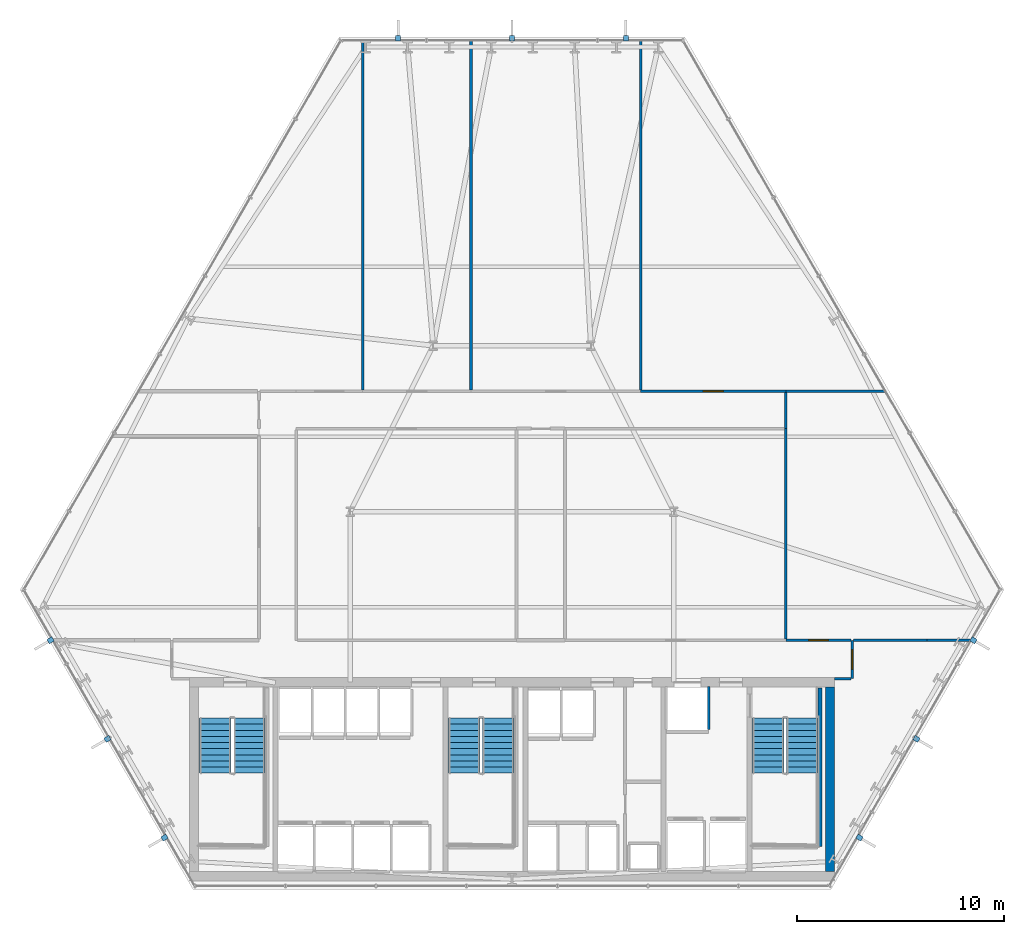
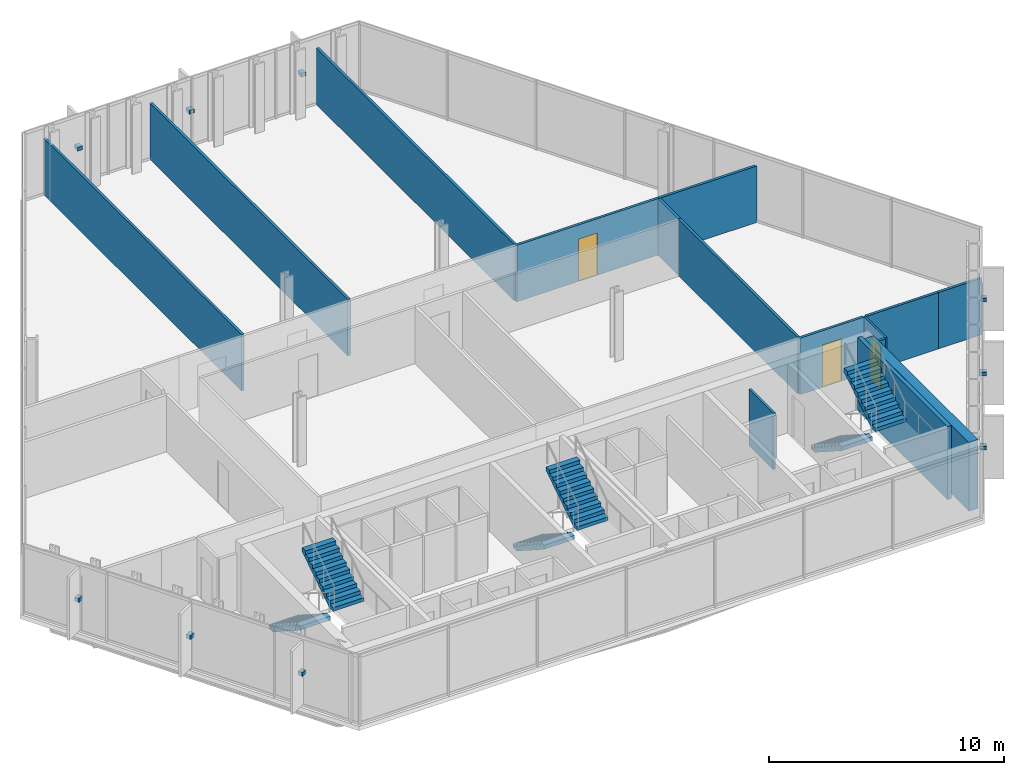
# One storey, part 29 of 33: 15 walls, 9 discrete accessories, 6 stair flights, 3 doors, 3 openings, 3 elements without a shape of their own.
"""IFC4 building model written with IfcOpenShell, lengths in metres."""

from ifc_helpers import new_model, si_unit, direction, frame, frame_2d, origin, origin_2d, place, context, subcontext, project, spatial, polyline, rectangle, outline, extrude, material, layer, layer_set, type_object, element, fill, aggregate, save


model = new_model("IFC4")

# Units and contexts
model_context = context("Model", 3, precision=1e-05, world=origin(), true_north=direction((0.0, 1.0)))
body_context = subcontext(model_context, "Body", "Model", "MODEL_VIEW")
ifc_project = project(units=[si_unit("LENGTHUNIT", "METRE"), si_unit("AREAUNIT", "SQUARE_METRE"), si_unit("VOLUMEUNIT", "CUBIC_METRE"), si_unit("PLANEANGLEUNIT", "RADIAN"), si_unit("MASSUNIT", "GRAM", prefix="KILO")], contexts=[model_context])

# Site, building, storey
site_placement = place(None, origin())
site = spatial("IfcSite", under=ifc_project, at=site_placement, CompositionType="ELEMENT")
building_placement = place(site_placement, origin())
building = spatial("IfcBuilding", under=site, at=building_placement, Name="Ndaravel Arena Tower", CompositionType="ELEMENT")
storey_placement = place(building_placement, frame((0.0, 0.0, 36.0)))
storey = spatial("IfcBuildingStorey", under=building, at=storey_placement, Name="L06", CompositionType="ELEMENT", Elevation=36.0)

# Wall
ifc_material_1 = material(Name="Concrete C60/75", Category="concrete")
ifc_layer_1 = layer(ifc_material_1, 0.449951171875)
ifc_layer_set_1 = layer_set([ifc_layer_1], Name="Concrete C60/75")
wall_type_1 = type_object("IfcWallType", Name="WALL-CORE-450", PredefinedType="SOLIDWALL", material=ifc_layer_set_1)
wall_1_placement = place(storey_placement, frame((57.324951171875, 5.85009765625, 0.0), z_axis=(0.0, 0.0, 1.0), x_axis=(0.0, 1.0, 0.0)))
element("IfcWall", 1, at=wall_1_placement, inside=storey, type_object=wall_type_1, Name="L06 Core East Shear Wall", PredefinedType="SOLIDWALL", context=body_context, shape_type="SweptSolid", body=[
    extrude(rectangle(XDim=8.89990234375, YDim=0.449951171875, at=frame_2d((4.449951171875, 0.0))), origin(), (0.0, 0.0, 1.0), 3.580078125),
])

# Wall, opening, door
ifc_material_2 = material(Name="Timber", Category="wood")
ifc_layer_2 = layer(ifc_material_2, 0.10009765625)
ifc_layer_set_2 = layer_set([ifc_layer_2], Name="Timber")
wall_type_2 = type_object("IfcWallType", Name="WALL-MOVABLE-100", PredefinedType="MOVABLE", material=ifc_layer_set_2)
wall_2_placement = place(storey_placement, frame((58.39990234375, 17.0, 0.0), z_axis=(0.0, 0.0, 1.0), x_axis=(0.0, -1.0, 0.0)))
wall_2 = element("IfcWall", 2, at=wall_2_placement, inside=storey, type_object=wall_type_2, Name="L06 Interior Partition 001", PredefinedType="MOVABLE", context=body_context, shape_type="SweptSolid", body=[
    extrude(rectangle(XDim=1.85009765625, YDim=0.10009765625, at=frame_2d((0.925048828125, 0.0))), origin(), (0.0, 0.0, 1.0), 2.932861328125),
])
opening_1_placement = place(wall_2_placement, frame((0.449951171875, 0.0, 0.0)))
opening_1 = element("IfcOpeningElement", 3, at=opening_1_placement, cuts=wall_2, Name="Opening ID-01", PredefinedType="OPENING", context=body_context, shape_type="SweptSolid", body=[
    extrude(rectangle(XDim=0.949951171875, YDim=2.199951171875, at=frame_2d((0.47509765625, 1.10009765625))), frame((0.0, 0.050048828125, 0.0), z_axis=(0.0, -1.0, 0.0), x_axis=(1.0, 0.0, 0.0)), (0.0, 0.0, 1.0), 0.10009765625),
])
ifc_material_3 = material(Name="Timber", Category="wood")
door_type = type_object("IfcDoorType", Name="DT-03-OFFICE-950", OperationType="SINGLE_SWING_LEFT", PredefinedType="DOOR", material=ifc_material_3)
door_1_placement = place(opening_1_placement, origin())
door_1 = element("IfcDoor", 4, at=door_1_placement, inside=storey, type_object=door_type, Name="L06 Executive Boardroom Door", OperationType="SINGLE_SWING_RIGHT", OverallHeight=2.199951171875, OverallWidth=0.949951171875, PredefinedType="DOOR", context=body_context, shape_type="SweptSolid", body=[
    extrude(rectangle(XDim=0.949951171875, YDim=2.199951171875, at=frame_2d((0.47509765625, 1.10009765625))), frame((0.0, 0.02490234375, 0.0), z_axis=(0.0, -1.0, 0.0), x_axis=(1.0, 0.0, 0.0)), (0.0, 0.0, 1.0), 0.050048828125),
])
fill(opening_1, door_1)

# Wall
ifc_material_4 = material(Name="Gypsum", Category="gypsum")
ifc_layer_3 = layer(ifc_material_4, 0.125)
ifc_layer_set_3 = layer_set([ifc_layer_3], Name="Gypsum")
wall_type_3 = type_object("IfcWallType", Name="WALL-PART-125", PredefinedType="PARTITIONING", material=ifc_layer_set_3)
wall_3_placement = place(storey_placement, frame((58.3349609375, 15.14990234375, 0.0), z_axis=(0.0, 0.0, 1.0), x_axis=(-1.0, 0.0, 0.0)))
element("IfcWall", 5, at=wall_3_placement, inside=storey, type_object=wall_type_3, Name="L06 Interior Partition 002", PredefinedType="PARTITIONING", context=body_context, shape_type="SweptSolid", body=[
    extrude(rectangle(XDim=0.784912109375, YDim=0.125, at=frame_2d((0.392578125, 0.0))), origin(), (0.0, 0.0, 1.0), 2.932861328125),
])

# Wall, opening, door
wall_4_placement = place(storey_placement, frame((48.199951171875, 29.0, 0.0), z_axis=(0.0, 0.0, 1.0), x_axis=(1.0, 0.0, 0.0)))
wall_4 = element("IfcWall", 6, at=wall_4_placement, inside=storey, type_object=wall_type_3, Name="L06 Interior Partition 012", PredefinedType="PARTITIONING", context=body_context, shape_type="SweptSolid", body=[
    extrude(rectangle(XDim=7.0, YDim=0.125, at=frame_2d((3.5, 0.0))), origin(), (0.0, 0.0, 1.0), 2.932861328125),
])
opening_2_placement = place(wall_4_placement, frame((3.02490234375, 0.0, 0.0)))
opening_2 = element("IfcOpeningElement", 7, at=opening_2_placement, cuts=wall_4, Name="Opening ID-01", PredefinedType="OPENING", context=body_context, shape_type="SweptSolid", body=[
    extrude(rectangle(XDim=0.949951171875, YDim=2.199951171875, at=frame_2d((0.47509765625, 1.10009765625))), frame((0.0, 0.0625, 0.0), z_axis=(0.0, -1.0, 0.0), x_axis=(1.0, 0.0, 0.0)), (0.0, 0.0, 1.0), 0.125),
])
door_2_placement = place(opening_2_placement, origin())
door_2 = element("IfcDoor", 8, at=door_2_placement, inside=storey, type_object=door_type, Name="L06 Project Seminar Room 3 Door", OperationType="SINGLE_SWING_RIGHT", OverallHeight=2.199951171875, OverallWidth=0.949951171875, PredefinedType="DOOR", context=body_context, shape_type="SweptSolid", body=[
    extrude(rectangle(XDim=0.949951171875, YDim=2.199951171875, at=frame_2d((0.47509765625, 1.10009765625))), frame((0.0, 0.02490234375, 0.0), z_axis=(0.0, -1.0, 0.0), x_axis=(1.0, 0.0, 0.0)), (0.0, 0.0, 1.0), 0.050048828125),
])
fill(opening_2, door_2)

# Wall
wall_5_placement = place(storey_placement, frame((55.199951171875, 28.93505859375, 0.0), z_axis=(0.0, 0.0, 1.0), x_axis=(0.0, -1.0, 0.0)))
element("IfcWall", 9, at=wall_5_placement, inside=storey, type_object=wall_type_3, Name="L06 Interior Partition 013", PredefinedType="PARTITIONING", context=body_context, shape_type="SweptSolid", body=[
    extrude(rectangle(XDim=1.735107421875, YDim=0.125, at=frame_2d((0.86767578125, 0.0))), origin(), (0.0, 0.0, 1.0), 2.932861328125),
])

# Wall, opening, door
wall_6_placement = place(storey_placement, frame((55.199951171875, 17.0, 0.0), z_axis=(0.0, 0.0, 1.0), x_axis=(1.0, 0.0, 0.0)))
wall_6 = element("IfcWall", 10, at=wall_6_placement, inside=storey, type_object=wall_type_3, Name="L06 Interior Partition 021", PredefinedType="PARTITIONING", context=body_context, shape_type="SweptSolid", body=[
    extrude(rectangle(XDim=3.135009765625, YDim=0.125, at=frame_2d((1.5673828125, 0.0))), origin(), (0.0, 0.0, 1.0), 2.932861328125),
])
opening_3_placement = place(wall_6_placement, frame((1.092529296875, 0.0, 0.0)))
opening_3 = element("IfcOpeningElement", 11, at=opening_3_placement, cuts=wall_6, Name="Opening ID-01", PredefinedType="OPENING", context=body_context, shape_type="SweptSolid", body=[
    extrude(rectangle(XDim=0.949951171875, YDim=2.199951171875, at=frame_2d((0.47509765625, 1.10009765625))), frame((0.0, 0.0625, 0.0), z_axis=(0.0, -1.0, 0.0), x_axis=(1.0, 0.0, 0.0)), (0.0, 0.0, 1.0), 0.125),
])
door_3_placement = place(opening_3_placement, origin())
door_3 = element("IfcDoor", 12, at=door_3_placement, inside=storey, type_object=door_type, Name="L06 Advisory Desk Office 3 Door", OperationType="SINGLE_SWING_LEFT", OverallHeight=2.199951171875, OverallWidth=0.949951171875, PredefinedType="DOOR", context=body_context, shape_type="SweptSolid", body=[
    extrude(rectangle(XDim=0.949951171875, YDim=2.199951171875, at=frame_2d((0.47509765625, 1.10009765625))), frame((0.0, 0.02490234375, 0.0), z_axis=(0.0, -1.0, 0.0), x_axis=(1.0, 0.0, 0.0)), (0.0, 0.0, 1.0), 0.050048828125),
])
fill(opening_3, door_3)

# Walls
wall_7_placement = place(storey_placement, frame((58.465087890625, 17.0, 0.0), z_axis=(0.0, 0.0, 1.0), x_axis=(1.0, 0.0, 0.0)))
element("IfcWall", 13, at=wall_7_placement, inside=storey, type_object=wall_type_3, Name="L06 Interior Partition 024", PredefinedType="PARTITIONING", context=body_context, shape_type="SweptSolid", body=[
    extrude(rectangle(XDim=3.534912109375, YDim=0.125, at=frame_2d((1.767578125, 0.0))), origin(), (0.0, 0.0, 1.0), 2.932861328125),
])
wall_8_placement = place(storey_placement, frame((62.0, 17.0, 0.0), z_axis=(0.0, 0.0, 1.0), x_axis=(1.0, 0.0, 0.0)))
element("IfcWall", 14, at=wall_8_placement, inside=storey, type_object=wall_type_3, Name="L06 Interior Partition 025", PredefinedType="PARTITIONING", context=body_context, shape_type="SweptSolid", body=[
    extrude(rectangle(XDim=2.1240234375, YDim=0.125, at=frame_2d((1.06201171875, 0.0))), origin(), (0.0, 0.0, 1.0), 2.932861328125),
])
wall_9_placement = place(storey_placement, frame((55.199951171875, 27.199951171875, 0.0), z_axis=(0.0, 0.0, 1.0), x_axis=(0.0, -1.0, 0.0)))
element("IfcWall", 15, at=wall_9_placement, inside=storey, type_object=wall_type_3, Name="L06 Interior Partition 029", PredefinedType="PARTITIONING", context=body_context, shape_type="SweptSolid", body=[
    extrude(rectangle(XDim=10.135009765625, YDim=0.125, at=frame_2d((5.0673828125, 0.0))), origin(), (0.0, 0.0, 1.0), 2.932861328125),
])
wall_10_placement = place(storey_placement, frame((55.199951171875, 29.0, 0.0), z_axis=(0.0, 0.0, 1.0), x_axis=(1.0, 0.0, 0.0)))
element("IfcWall", 16, at=wall_10_placement, inside=storey, type_object=wall_type_3, Name="L06 Interior Partition 030", PredefinedType="PARTITIONING", context=body_context, shape_type="SweptSolid", body=[
    extrude(rectangle(XDim=4.8017578125, YDim=0.125, at=frame_2d((2.40087890625, 0.0))), origin(), (0.0, 0.0, 1.0), 2.932861328125),
])
for number, where, z_axis, x_axis, name in (
    (17, (34.800048828125, 45.909912109375, 0.0), (0.0, 0.0, 1.0), (0.0, -1.0, 0.0), "L06 Interior Partition 032"),
    (18, (48.199951171875, 29.06494140625, 0.0), (0.0, 0.0, 1.0), (0.0, 1.0, 0.0), "L06 Interior Partition 033"),
    (19, (40.02587890625, 29.06494140625, 0.0), (0.0, 0.0, 1.0), (0.0, 1.0, 0.0), "L06 Interior Partition 034"),
):
    element("IfcWall", number, at=place(storey_placement, frame(where, z_axis=z_axis, x_axis=x_axis)), inside=storey, type_object=wall_type_3, Name=name, PredefinedType="PARTITIONING", context=body_context, shape_type="SweptSolid", body=[
        extrude(rectangle(XDim=16.844970703125, YDim=0.125, at=frame_2d((8.42236328125, 0.0))), origin(), (0.0, 0.0, 1.0), 2.932861328125),
    ])
ifc_material_5 = material(Name="Concrete C40/50", Category="concrete")
ifc_layer_4 = layer(ifc_material_5, 0.1201171875)
ifc_layer_set_4 = layer_set([ifc_layer_4], Name="Concrete C40/50")
wall_type_4 = type_object("IfcWallType", Name="WALL-SHAFT-120", PredefinedType="SOLIDWALL", material=ifc_layer_set_4)
wall_11_placement = place(storey_placement, frame((51.47998046875, 12.68994140625, 0.0), z_axis=(0.0, 0.0, 1.0), x_axis=(0.0, 1.0, 0.0)))
element("IfcWall", 20, at=wall_11_placement, inside=storey, type_object=wall_type_4, Name="L06 SVL-1 Shaft E Wall", PredefinedType="SOLIDWALL", context=body_context, shape_type="SweptSolid", body=[
    extrude(rectangle(XDim=2.070068359375, YDim=0.1201171875, at=frame_2d((1.03515625, 0.0))), origin(), (0.0, 0.0, 1.0), 2.932861328125),
])
ifc_material_6 = material(Name="Concrete C40/50", Category="concrete")
ifc_layer_5 = layer(ifc_material_6, 0.199951171875)
ifc_layer_set_5 = layer_set([ifc_layer_5], Name="Concrete C40/50")
wall_type_5 = type_object("IfcWallType", Name="WALL-SHAFT-200", PredefinedType="SOLIDWALL", material=ifc_layer_set_5)
wall_12_placement = place(storey_placement, frame((56.840087890625, 14.699951171875, 0.0), z_axis=(0.0, 0.0, 1.0), x_axis=(0.0, -1.0, 0.0)))
element("IfcWall", 21, at=wall_12_placement, inside=storey, type_object=wall_type_5, Name="L06 ST-3 Structural Shaft Wall Right", PredefinedType="SOLIDWALL", context=body_context, shape_type="SweptSolid", body=[
    extrude(rectangle(XDim=7.64990234375, YDim=0.199951171875, at=frame_2d((3.824951171875, 0.0))), origin(), (0.0, 0.0, 1.0), 3.800048828125),
])

# Stair, stair flights
ifc_material_7 = material(Name="Concrete C40/50", Category="concrete")
stair_type = type_object("IfcStairType", Name="STAIR-CORE-HT", PredefinedType="HALF_TURN_STAIR", material=ifc_material_7)
stair_1_placement = place(storey_placement, origin())
stair_1 = element("IfcStair", 22, at=stair_1_placement, inside=storey, type_object=stair_type, Name="L06 ST-1", PredefinedType="HALF_TURN_STAIR")
ifc_material_8 = material(Name="Concrete C40/50", Category="concrete")
stair_flight_type = type_object("IfcStairFlightType", Name="SFLIGHT-CORE-1680", PredefinedType="STRAIGHT", material=ifc_material_8)
stair_flight_1_placement = place(storey_placement, frame((27.699951171875, 13.25, 0.0), z_axis=(0.0, 0.0, 1.0), x_axis=(0.0, -1.0, 0.0)))
stair_flight_1 = element("IfcStairFlight", 23, at=stair_flight_1_placement, type_object=stair_flight_type, Name="ST-1 flight 1", NumberOfRisers=10, NumberOfTreads=9, PredefinedType="STRAIGHT", RiserHeight=0.19, TreadLength=0.295, context=body_context, shape_type="SweptSolid", body=[
    extrude(outline(polyline([(0.0, 0.0), (0.0, 0.18994140625), (0.294921875, 0.18994140625), (0.294921875, 0.3798828125), (0.590087890625, 0.3798828125), (0.590087890625, 0.570068359375), (0.885009765625, 0.570068359375), (0.885009765625, 0.760009765625), (1.179931640625, 0.760009765625), (1.179931640625, 0.949951171875), (1.47509765625, 0.949951171875), (1.47509765625, 1.139892578125), (1.77001953125, 1.139892578125), (1.77001953125, 1.330078125), (2.06494140625, 1.330078125), (2.06494140625, 1.52001953125), (2.360107421875, 1.52001953125), (2.360107421875, 1.7099609375), (2.655029296875, 1.7099609375), (2.655029296875, 1.89990234375), (2.655029296875, 1.49609375), (0.332275390625, 0.0), (0.0, 0.0)])), frame((0.0, 0.75, 0.0), z_axis=(0.0, -1.0, 0.0), x_axis=(1.0, 0.0, 0.0)), (0.0, 0.0, 1.0), 1.5),
])
stair_flight_2_placement = place(storey_placement, frame((29.340087890625, 10.594970703125, 1.89990234375), z_axis=(0.0, 0.0, 1.0), x_axis=(0.0, 1.0, 0.0)))
stair_flight_2 = element("IfcStairFlight", 24, at=stair_flight_2_placement, type_object=stair_flight_type, Name="ST-1 flight 2", NumberOfRisers=10, NumberOfTreads=9, PredefinedType="STRAIGHT", RiserHeight=0.19, TreadLength=0.295, context=body_context, shape_type="SweptSolid", body=[
    extrude(outline(polyline([(0.0, 0.0), (0.0, 0.18994140625), (0.294921875, 0.18994140625), (0.294921875, 0.3798828125), (0.590087890625, 0.3798828125), (0.590087890625, 0.570068359375), (0.885009765625, 0.570068359375), (0.885009765625, 0.760009765625), (1.179931640625, 0.760009765625), (1.179931640625, 0.949951171875), (1.47509765625, 0.949951171875), (1.47509765625, 1.139892578125), (1.77001953125, 1.139892578125), (1.77001953125, 1.330078125), (2.06494140625, 1.330078125), (2.06494140625, 1.52001953125), (2.360107421875, 1.52001953125), (2.360107421875, 1.7099609375), (2.655029296875, 1.7099609375), (2.655029296875, 1.89990234375), (2.655029296875, 1.49609375), (0.332275390625, 0.0), (0.0, 0.0)])), frame((0.0, 0.75, 0.0), z_axis=(0.0, -1.0, 0.0), x_axis=(1.0, 0.0, 0.0)), (0.0, 0.0, 1.0), 1.5),
])
aggregate(stair_1, [stair_flight_1, stair_flight_2])

stair_2_placement = place(storey_placement, origin())
stair_2 = element("IfcStair", 25, at=stair_2_placement, inside=storey, type_object=stair_type, Name="L06 ST-2", PredefinedType="HALF_TURN_STAIR")
stair_flight_3_placement = place(storey_placement, frame((39.699951171875, 13.25, 0.0), z_axis=(0.0, 0.0, 1.0), x_axis=(0.0, -1.0, 0.0)))
stair_flight_3 = element("IfcStairFlight", 26, at=stair_flight_3_placement, type_object=stair_flight_type, Name="ST-2 flight 1", NumberOfRisers=10, NumberOfTreads=9, PredefinedType="STRAIGHT", RiserHeight=0.19, TreadLength=0.295, context=body_context, shape_type="SweptSolid", body=[
    extrude(outline(polyline([(0.0, 0.0), (0.0, 0.18994140625), (0.294921875, 0.18994140625), (0.294921875, 0.3798828125), (0.590087890625, 0.3798828125), (0.590087890625, 0.570068359375), (0.885009765625, 0.570068359375), (0.885009765625, 0.760009765625), (1.179931640625, 0.760009765625), (1.179931640625, 0.949951171875), (1.47509765625, 0.949951171875), (1.47509765625, 1.139892578125), (1.77001953125, 1.139892578125), (1.77001953125, 1.330078125), (2.06494140625, 1.330078125), (2.06494140625, 1.52001953125), (2.360107421875, 1.52001953125), (2.360107421875, 1.7099609375), (2.655029296875, 1.7099609375), (2.655029296875, 1.89990234375), (2.655029296875, 1.49609375), (0.332275390625, 0.0), (0.0, 0.0)])), frame((0.0, 0.75, 0.0), z_axis=(0.0, -1.0, 0.0), x_axis=(1.0, 0.0, 0.0)), (0.0, 0.0, 1.0), 1.5),
])
stair_flight_4_placement = place(storey_placement, frame((41.340087890625, 10.594970703125, 1.89990234375), z_axis=(0.0, 0.0, 1.0), x_axis=(0.0, 1.0, 0.0)))
stair_flight_4 = element("IfcStairFlight", 27, at=stair_flight_4_placement, type_object=stair_flight_type, Name="ST-2 flight 2", NumberOfRisers=10, NumberOfTreads=9, PredefinedType="STRAIGHT", RiserHeight=0.19, TreadLength=0.295, context=body_context, shape_type="SweptSolid", body=[
    extrude(outline(polyline([(0.0, 0.0), (0.0, 0.18994140625), (0.294921875, 0.18994140625), (0.294921875, 0.3798828125), (0.590087890625, 0.3798828125), (0.590087890625, 0.570068359375), (0.885009765625, 0.570068359375), (0.885009765625, 0.760009765625), (1.179931640625, 0.760009765625), (1.179931640625, 0.949951171875), (1.47509765625, 0.949951171875), (1.47509765625, 1.139892578125), (1.77001953125, 1.139892578125), (1.77001953125, 1.330078125), (2.06494140625, 1.330078125), (2.06494140625, 1.52001953125), (2.360107421875, 1.52001953125), (2.360107421875, 1.7099609375), (2.655029296875, 1.7099609375), (2.655029296875, 1.89990234375), (2.655029296875, 1.49609375), (0.332275390625, 0.0), (0.0, 0.0)])), frame((0.0, 0.75, 0.0), z_axis=(0.0, -1.0, 0.0), x_axis=(1.0, 0.0, 0.0)), (0.0, 0.0, 1.0), 1.5),
])
aggregate(stair_2, [stair_flight_3, stair_flight_4])

stair_3_placement = place(storey_placement, origin())
stair_3 = element("IfcStair", 28, at=stair_3_placement, inside=storey, type_object=stair_type, Name="L06 ST-3", PredefinedType="HALF_TURN_STAIR")
stair_flight_5_placement = place(storey_placement, frame((54.35009765625, 13.25, 0.0), z_axis=(0.0, 0.0, 1.0), x_axis=(0.0, -1.0, 0.0)))
stair_flight_5 = element("IfcStairFlight", 29, at=stair_flight_5_placement, type_object=stair_flight_type, Name="ST-3 flight 1", NumberOfRisers=10, NumberOfTreads=9, PredefinedType="STRAIGHT", RiserHeight=0.19, TreadLength=0.295, context=body_context, shape_type="SweptSolid", body=[
    extrude(outline(polyline([(0.0, 0.0), (0.0, 0.18994140625), (0.294921875, 0.18994140625), (0.294921875, 0.3798828125), (0.590087890625, 0.3798828125), (0.590087890625, 0.570068359375), (0.885009765625, 0.570068359375), (0.885009765625, 0.760009765625), (1.179931640625, 0.760009765625), (1.179931640625, 0.949951171875), (1.47509765625, 0.949951171875), (1.47509765625, 1.139892578125), (1.77001953125, 1.139892578125), (1.77001953125, 1.330078125), (2.06494140625, 1.330078125), (2.06494140625, 1.52001953125), (2.360107421875, 1.52001953125), (2.360107421875, 1.7099609375), (2.655029296875, 1.7099609375), (2.655029296875, 1.89990234375), (2.655029296875, 1.49609375), (0.332275390625, 0.0), (0.0, 0.0)])), frame((0.0, 0.75, 0.0), z_axis=(0.0, -1.0, 0.0), x_axis=(1.0, 0.0, 0.0)), (0.0, 0.0, 1.0), 1.5),
])
stair_flight_6_placement = place(storey_placement, frame((55.989990234375, 10.594970703125, 1.89990234375), z_axis=(0.0, 0.0, 1.0), x_axis=(0.0, 1.0, 0.0)))
stair_flight_6 = element("IfcStairFlight", 30, at=stair_flight_6_placement, type_object=stair_flight_type, Name="ST-3 flight 2", NumberOfRisers=10, NumberOfTreads=9, PredefinedType="STRAIGHT", RiserHeight=0.19, TreadLength=0.295, context=body_context, shape_type="SweptSolid", body=[
    extrude(outline(polyline([(0.0, 0.0), (0.0, 0.18994140625), (0.294921875, 0.18994140625), (0.294921875, 0.3798828125), (0.590087890625, 0.3798828125), (0.590087890625, 0.570068359375), (0.885009765625, 0.570068359375), (0.885009765625, 0.760009765625), (1.179931640625, 0.760009765625), (1.179931640625, 0.949951171875), (1.47509765625, 0.949951171875), (1.47509765625, 1.139892578125), (1.77001953125, 1.139892578125), (1.77001953125, 1.330078125), (2.06494140625, 1.330078125), (2.06494140625, 1.52001953125), (2.360107421875, 1.52001953125), (2.360107421875, 1.7099609375), (2.655029296875, 1.7099609375), (2.655029296875, 1.89990234375), (2.655029296875, 1.49609375), (0.332275390625, 0.0), (0.0, 0.0)])), frame((0.0, 0.75, 0.0), z_axis=(0.0, -1.0, 0.0), x_axis=(1.0, 0.0, 0.0)), (0.0, 0.0, 1.0), 1.5),
])
aggregate(stair_3, [stair_flight_5, stair_flight_6])

# Discrete accessories
ifc_material_9 = material(Name="Steel S355", Category="steel")
discrete_accessory_type = type_object("IfcDiscreteAccessoryType", Name="ACC-BRACKET-FIN", PredefinedType="BRACKET", material=ifc_material_9)
for number, where, z_axis, x_axis, name in (
    (31, (58.747802734375, 7.48828125, 1.68994140625), (0.0, 0.0, 1.0), (0.866025403784, -0.5, 0.0), "L06 Mazeras Stone Solar Fin E2.1 Bracket"),
    (32, (61.494140625, 12.2451171875, 1.68994140625), (0.0, 0.0, 1.0), (0.866025403784, -0.5, 0.0), "L06 Mazeras Stone Solar Fin E2.2 Bracket"),
    (33, (64.240478515625, 17.001708984375, 1.68994140625), (0.0, 0.0, 1.0), (0.866025403784, -0.5, 0.0), "L06 Mazeras Stone Solar Fin E2.3 Bracket"),
    (34, (47.492431640625, 46.010009765625, 1.68994140625), (0.0, 0.0, 1.0), (0.0, 1.0, 0.0), "L06 Mazeras Stone Solar Fin E4.1 Bracket"),
    (35, (42.0, 46.010009765625, 1.68994140625), (0.0, 0.0, 1.0), (0.0, 1.0, 0.0), "L06 Mazeras Stone Solar Fin E4.2 Bracket"),
    (36, (36.507568359375, 46.010009765625, 1.68994140625), (0.0, 0.0, 1.0), (0.0, 1.0, 0.0), "L06 Mazeras Stone Solar Fin E4.3 Bracket"),
    (37, (19.759521484375, 17.001708984375, 1.68994140625), (0.0, 0.0, 1.0), (-0.866025403784, -0.5, 0.0), "L06 Mazeras Stone Solar Fin E6.1 Bracket"),
    (38, (22.505859375, 12.2451171875, 1.68994140625), (0.0, 0.0, 1.0), (-0.866025403784, -0.5, 0.0), "L06 Mazeras Stone Solar Fin E6.2 Bracket"),
    (39, (25.252197265625, 7.48828125, 1.68994140625), (0.0, 0.0, 1.0), (-0.866025403784, -0.5, 0.0), "L06 Mazeras Stone Solar Fin E6.3 Bracket"),
):
    element("IfcDiscreteAccessory", number, at=place(storey_placement, frame(where, z_axis=z_axis, x_axis=x_axis)), inside=storey, type_object=discrete_accessory_type, Name=name, PredefinedType="BRACKET", context=body_context, shape_type="SweptSolid", body=[
        extrude(rectangle(XDim=0.280029296875, YDim=0.239990234375, at=origin_2d()), origin(), (0.0, 0.0, 1.0), 0.199951171875),
    ])

save(model, "model.ifc")
